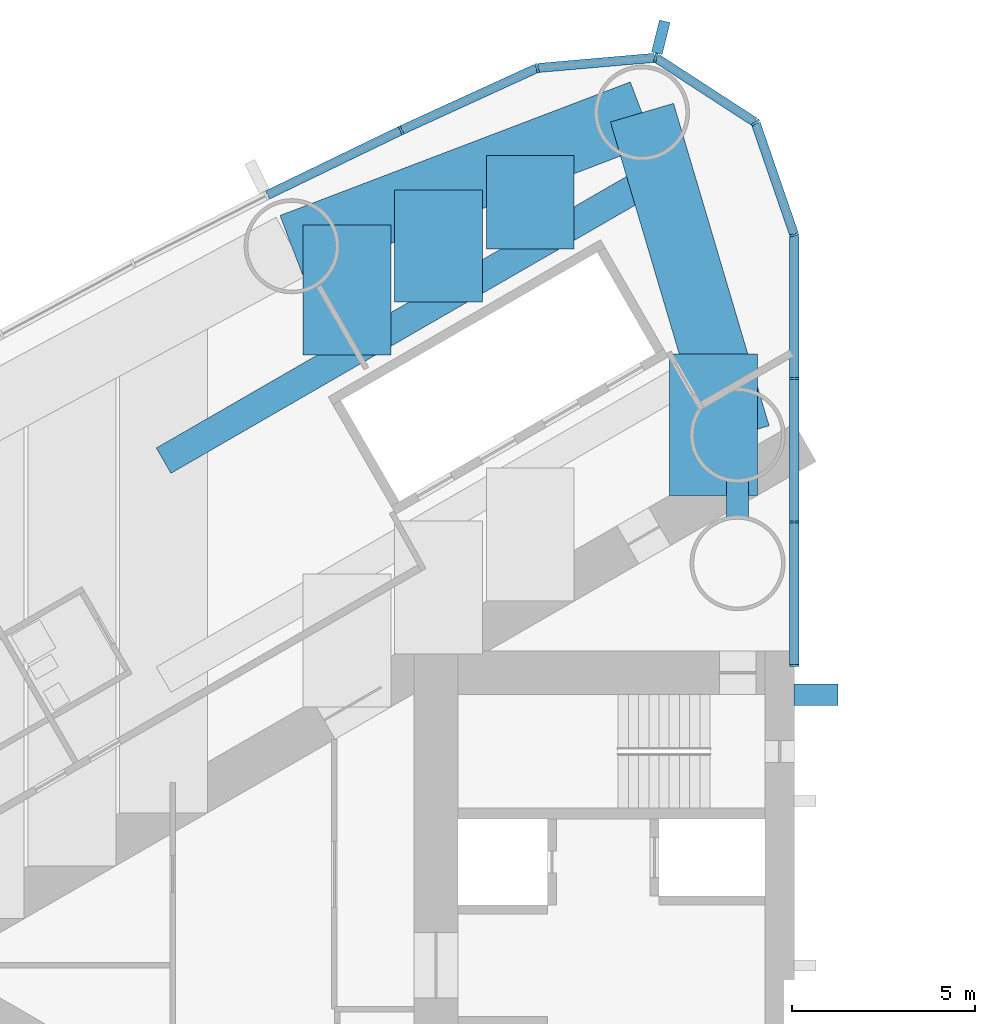
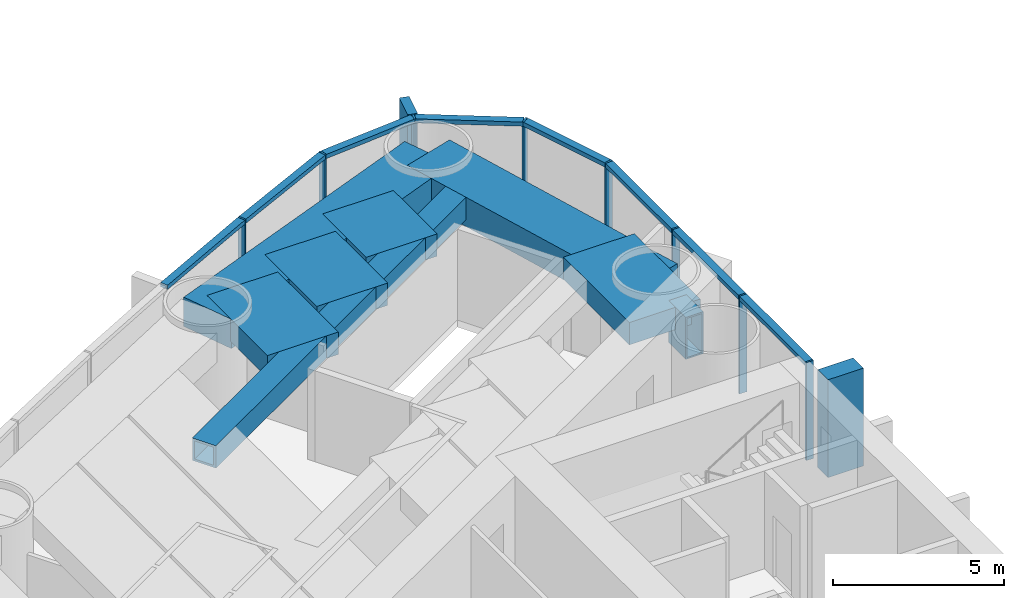
# One storey, part 5 of 19: 18 members, 8 beams, 1 element without a shape of its own.
"""IFC4 building model written with IfcOpenShell, lengths in metres."""

from ifc_helpers import new_model, si_unit, direction, frame, origin, origin_2d, place, context, subcontext, project, spatial, rectangle, hollow_rectangle, extrude, material, material_profile, profile_set, type_object, element, aggregate, save


model = new_model("IFC4")

# Units and contexts
model_context = context("Model", 3, precision=1e-05, world=origin(), true_north=direction((0.0, 1.0)))
body_context = subcontext(model_context, "Body", "Model", "MODEL_VIEW")
ifc_project = project(units=[si_unit("LENGTHUNIT", "METRE"), si_unit("AREAUNIT", "SQUARE_METRE"), si_unit("VOLUMEUNIT", "CUBIC_METRE"), si_unit("PLANEANGLEUNIT", "RADIAN"), si_unit("MASSUNIT", "GRAM", prefix="KILO")], contexts=[model_context])

# Site, building, storey
site_placement = place(None, origin())
site = spatial("IfcSite", under=ifc_project, at=site_placement, CompositionType="ELEMENT")
building_placement = place(site_placement, origin())
building = spatial("IfcBuilding", under=site, at=building_placement, Name="Lancet Gate Hotel", CompositionType="ELEMENT")
storey_placement = place(building_placement, frame((0.0, 0.0, 111.60009765625)))
storey = spatial("IfcBuildingStorey", under=building, at=storey_placement, Name="L29", CompositionType="ELEMENT", Elevation=111.60009765625)

# Curtain wall, members
ifc_material_1 = material(Name="Aluminium curtain wall", Category="aluminium")
curtain_wall_type = type_object("IfcCurtainWallType", Name="Tower unitised curtain wall", PredefinedType="USERDEFINED", material=ifc_material_1)
curtain_wall_placement = place(storey_placement, origin())
curtain_wall = element("IfcCurtainWall", 1, at=curtain_wall_placement, inside=storey, type_object=curtain_wall_type, Name="T1 L29 curtain wall 1", ObjectType="UNITISED CURTAIN WALL", PredefinedType="USERDEFINED")
ifc_material_2 = material(Name="Aluminium mullion", Category="aluminium")
ifc_material_profile_1 = material_profile(ifc_material_2, rectangle(XDim=0.06494140625, YDim=0.25, at=origin_2d()), Name="MULLION 65x250")
ifc_profile_set_1 = profile_set([ifc_material_profile_1], Name="Aluminium mullion")
member_type_1 = type_object("IfcMemberType", Name="Aluminium mullion 65x250", PredefinedType="MULLION", material=ifc_profile_set_1)
member_1_placement = place(storey_placement, frame((-27.5, 8.199951171875, 0.0), z_axis=(0.0, 0.0, 1.0), x_axis=(0.0, 1.0, 0.0)))
member_1 = element("IfcMember", 2, at=member_1_placement, type_object=member_type_1, Name="T1 L29 curtain wall 1 mullion 1", PredefinedType="MULLION", context=body_context, shape_type="SweptSolid", body=[
    extrude(rectangle(XDim=0.06494140625, YDim=0.25, at=origin_2d()), origin(), (0.0, 0.0, 1.0), 3.5),
])
member_2_placement = place(storey_placement, frame((-27.5, 12.123779296875, 0.0), z_axis=(0.0, 0.0, 1.0), x_axis=(0.0, 1.0, 0.0)))
member_2 = element("IfcMember", 3, at=member_2_placement, type_object=member_type_1, Name="T1 L29 curtain wall 1 mullion 2", PredefinedType="MULLION", context=body_context, shape_type="SweptSolid", body=[
    extrude(rectangle(XDim=0.06494140625, YDim=0.25, at=origin_2d()), origin(), (0.0, 0.0, 1.0), 3.5),
])
member_3_placement = place(storey_placement, frame((-27.5, 16.04736328125, 0.0), z_axis=(0.0, 0.0, 1.0), x_axis=(0.0, 1.0, 0.0)))
member_3 = element("IfcMember", 4, at=member_3_placement, type_object=member_type_1, Name="T1 L29 curtain wall 1 mullion 3", PredefinedType="MULLION", context=body_context, shape_type="SweptSolid", body=[
    extrude(rectangle(XDim=0.06494140625, YDim=0.25, at=origin_2d()), origin(), (0.0, 0.0, 1.0), 3.5),
])
member_4_placement = place(storey_placement, frame((-27.5, 19.97119140625, 0.0), z_axis=(0.0, 0.0, 1.0), x_axis=(-0.149634446211, 0.988741388082, 0.0)))
member_4 = element("IfcMember", 5, at=member_4_placement, type_object=member_type_1, Name="T1 L29 curtain wall 1 mullion 4", PredefinedType="MULLION", context=body_context, shape_type="SweptSolid", body=[
    extrude(rectangle(XDim=0.06494140625, YDim=0.25, at=origin_2d()), origin(), (0.0, 0.0, 1.0), 3.5),
])
member_5_placement = place(storey_placement, frame((-28.5595703125, 23.049072265625, 0.0), z_axis=(0.0, 0.0, 1.0), x_axis=(-0.615574240878, 0.788078900851, 0.0)))
member_5 = element("IfcMember", 6, at=member_5_placement, type_object=member_type_1, Name="T1 L29 curtain wall 1 mullion 5", PredefinedType="MULLION", context=body_context, shape_type="SweptSolid", body=[
    extrude(rectangle(XDim=0.06494140625, YDim=0.25, at=origin_2d()), origin(), (0.0, 0.0, 1.0), 3.5),
])
member_6_placement = place(storey_placement, frame((-31.289306640625, 24.822265625, 0.0), z_axis=(0.0, 0.0, 1.0), x_axis=(-0.970242142288, 0.242136707934, 0.0)))
member_6 = element("IfcMember", 7, at=member_6_placement, type_object=member_type_1, Name="T1 L29 curtain wall 1 mullion 6", PredefinedType="MULLION", context=body_context, shape_type="SweptSolid", body=[
    extrude(rectangle(XDim=0.06494140625, YDim=0.25, at=origin_2d()), origin(), (0.0, 0.0, 1.0), 3.5),
])
member_7_placement = place(storey_placement, frame((-34.5322265625, 24.53955078125, 0.0), z_axis=(0.0, 0.0, 1.0), x_axis=(-0.961653318232, -0.27426792655, 0.0)))
member_7 = element("IfcMember", 8, at=member_7_placement, type_object=member_type_1, Name="T1 L29 curtain wall 1 mullion 7", PredefinedType="MULLION", context=body_context, shape_type="SweptSolid", body=[
    extrude(rectangle(XDim=0.06494140625, YDim=0.25, at=origin_2d()), origin(), (0.0, 0.0, 1.0), 3.5),
])
member_8_placement = place(storey_placement, frame((-38.25244140625, 22.83642578125, 0.0), z_axis=(0.0, 0.0, 1.0), x_axis=(-0.904719609771, -0.426007544178, 0.0)))
member_8 = element("IfcMember", 9, at=member_8_placement, type_object=member_type_1, Name="T1 L29 curtain wall 1 mullion 8", PredefinedType="MULLION", context=body_context, shape_type="SweptSolid", body=[
    extrude(rectangle(XDim=0.06494140625, YDim=0.25, at=origin_2d()), origin(), (0.0, 0.0, 1.0), 3.5),
])
ifc_material_3 = material(Name="Aluminium transom", Category="aluminium")
ifc_material_profile_2 = material_profile(ifc_material_3, rectangle(XDim=0.25, YDim=0.14990234375, at=origin_2d()), Name="TRANSOM 250x150")
ifc_profile_set_2 = profile_set([ifc_material_profile_2], Name="Aluminium transom")
member_type_2 = type_object("IfcMemberType", Name="Aluminium transom 250x150", PredefinedType="USERDEFINED", material=ifc_profile_set_2)
member_9_placement = place(storey_placement, frame((-27.5, 8.232421875, 3.4248046875), z_axis=(0.0, 1.0, 0.0), x_axis=(-1.0, 0.0, 0.0)))
member_9 = element("IfcMember", 10, at=member_9_placement, type_object=member_type_2, Name="T1 L29 curtain wall 1 transom 1", ObjectType="TRANSOM", PredefinedType="USERDEFINED", context=body_context, shape_type="SweptSolid", body=[
    extrude(rectangle(XDim=0.25, YDim=0.14990234375, at=origin_2d()), origin(), (0.0, 0.0, 1.0), 3.85888671875),
])
member_10_placement = place(storey_placement, frame((-27.5, 12.15625, 3.4248046875), z_axis=(0.0, 1.0, 0.0), x_axis=(-1.0, 0.0, 0.0)))
member_10 = element("IfcMember", 11, at=member_10_placement, type_object=member_type_2, Name="T1 L29 curtain wall 1 transom 2", ObjectType="TRANSOM", PredefinedType="USERDEFINED", context=body_context, shape_type="SweptSolid", body=[
    extrude(rectangle(XDim=0.25, YDim=0.14990234375, at=origin_2d()), origin(), (0.0, 0.0, 1.0), 3.858642578125),
])
member_11_placement = place(storey_placement, frame((-27.5, 16.079833984375, 3.4248046875), z_axis=(0.0, 1.0, 0.0), x_axis=(-1.0, 0.0, 0.0)))
member_11 = element("IfcMember", 12, at=member_11_placement, type_object=member_type_2, Name="T1 L29 curtain wall 1 transom 3", ObjectType="TRANSOM", PredefinedType="USERDEFINED", context=body_context, shape_type="SweptSolid", body=[
    extrude(rectangle(XDim=0.25, YDim=0.14990234375, at=origin_2d()), origin(), (0.0, 0.0, 1.0), 3.858642578125),
])
member_12_placement = place(storey_placement, frame((-27.510498046875, 20.001708984375, 3.4248046875), z_axis=(-0.32553312754, 0.945530635609, 0.0), x_axis=(-0.945530635609, -0.32553312754, 0.0)))
member_12 = element("IfcMember", 13, at=member_12_placement, type_object=member_type_2, Name="T1 L29 curtain wall 1 transom 4", ObjectType="TRANSOM", PredefinedType="USERDEFINED", context=body_context, shape_type="SweptSolid", body=[
    extrude(rectangle(XDim=0.25, YDim=0.14990234375, at=origin_2d()), origin(), (0.0, 0.0, 1.0), 3.1904296875),
])
member_13_placement = place(storey_placement, frame((-28.5869140625, 23.066650390625, 3.4248046875), z_axis=(-0.838550259452, 0.544824249068, 0.0), x_axis=(-0.544824249068, -0.838550259452, 0.0)))
member_13 = element("IfcMember", 14, at=member_13_placement, type_object=member_type_2, Name="T1 L29 curtain wall 1 transom 5", ObjectType="TRANSOM", PredefinedType="USERDEFINED", context=body_context, shape_type="SweptSolid", body=[
    extrude(rectangle(XDim=0.25, YDim=0.14990234375, at=origin_2d()), origin(), (0.0, 0.0, 1.0), 3.190185546875),
])
member_14_placement = place(storey_placement, frame((-31.32177734375, 24.819580078125, 3.4248046875), z_axis=(-0.996213545522, -0.086940046686, 0.0), x_axis=(0.086940046686, -0.996213545522, 0.0)))
member_14 = element("IfcMember", 15, at=member_14_placement, type_object=member_type_2, Name="T1 L29 curtain wall 1 transom 6", ObjectType="TRANSOM", PredefinedType="USERDEFINED", context=body_context, shape_type="SweptSolid", body=[
    extrude(rectangle(XDim=0.25, YDim=0.14990234375, at=origin_2d()), origin(), (0.0, 0.0, 1.0), 3.18994140625),
])
member_15_placement = place(storey_placement, frame((-34.561767578125, 24.52587890625, 3.4248046875), z_axis=(-0.909252284196, -0.416245460857, 0.0), x_axis=(0.416245460857, -0.909252284196, 0.0)))
member_15 = element("IfcMember", 16, at=member_15_placement, type_object=member_type_2, Name="T1 L29 curtain wall 1 transom 7", ObjectType="TRANSOM", PredefinedType="USERDEFINED", context=body_context, shape_type="SweptSolid", body=[
    extrude(rectangle(XDim=0.25, YDim=0.14990234375, at=origin_2d()), origin(), (0.0, 0.0, 1.0), 4.026611328125),
])
member_16_placement = place(storey_placement, frame((-38.28173828125, 22.822265625, 3.4248046875), z_axis=(-0.900065677074, -0.435754262117, 0.0), x_axis=(0.435754262117, -0.900065677074, 0.0)))
member_16 = element("IfcMember", 17, at=member_16_placement, type_object=member_type_2, Name="T1 L29 curtain wall 1 transom 8", ObjectType="TRANSOM", PredefinedType="USERDEFINED", context=body_context, shape_type="SweptSolid", body=[
    extrude(rectangle(XDim=0.25, YDim=0.14990234375, at=origin_2d()), origin(), (0.0, 0.0, 1.0), 4.026611328125),
])

# Beams
ifc_material_4 = material(Name="Concrete C50/60", Category="concrete")
ifc_material_profile_3 = material_profile(ifc_material_4, rectangle(XDim=1.800048828125, YDim=1.050048828125, at=origin_2d()), Name="RC 1800x1050")
ifc_profile_set_3 = profile_set([ifc_material_profile_3], Name="Concrete C50/60")
beam_type_1 = type_object("IfcBeamType", Name="Edge beam RC 1800x1050", PredefinedType="SPANDREL", material=ifc_profile_set_3)
beam_1_placement = place(storey_placement, frame((-31.66455078125, 23.318359375, 2.724853515625), z_axis=(-0.934392266213, -0.356245832033, 0.0), x_axis=(0.356245832033, -0.934392266213, 0.0)))
element("IfcBeam", 18, at=beam_1_placement, inside=storey, type_object=beam_type_1, Name="T1 edge beam EB1 L29", PredefinedType="SPANDREL", context=body_context, shape_type="SweptSolid", body=[
    extrude(rectangle(XDim=1.800048828125, YDim=1.050048828125, at=origin_2d()), origin(), (0.0, 0.0, 1.0), 10.2529296875),
])
beam_2_placement = place(storey_placement, frame((-31.66455078125, 23.318359375, 2.724853515625), z_axis=(0.284253711522, -0.958749095168, 0.0), x_axis=(0.958749095168, 0.284253711522, 0.0)))
element("IfcBeam", 19, at=beam_2_placement, inside=storey, type_object=beam_type_1, Name="T1 edge beam EB1 L29", PredefinedType="SPANDREL", context=body_context, shape_type="SweptSolid", body=[
    extrude(rectangle(XDim=1.800048828125, YDim=1.050048828125, at=origin_2d()), origin(), (0.0, 0.0, 1.0), 9.19775390625),
])

# Member
ifc_material_5 = material(Name="Concrete C60/75", Category="concrete")
ifc_material_profile_4 = material_profile(ifc_material_5, rectangle(XDim=0.60009765625, YDim=1.199951171875, at=origin_2d()), Name="FIN 600x1200")
ifc_profile_set_4 = profile_set([ifc_material_profile_4], Name="Concrete C60/75")
member_type_3 = type_object("IfcMemberType", Name="Exposed concrete buttress pilaster 600x1200", PredefinedType="USERDEFINED", material=ifc_profile_set_4)
member_17_placement = place(storey_placement, frame((-26.909912109375, 7.39990234375, 0.0), z_axis=(0.0, 0.0, 1.0), x_axis=(0.0, 1.0, 0.0)))
element("IfcMember", 20, at=member_17_placement, inside=storey, type_object=member_type_3, Name="T1 buttress pilaster S L29", ObjectType="FIN", PredefinedType="USERDEFINED", context=body_context, shape_type="SweptSolid", body=[
    extrude(rectangle(XDim=0.60009765625, YDim=1.199951171875, at=origin_2d()), origin(), (0.0, 0.0, 1.0), 3.5),
])

ifc_material_6 = material(Name="Precast concrete C50/60", Category="concrete")
ifc_material_profile_5 = material_profile(ifc_material_6, rectangle(XDim=0.300048828125, YDim=0.89990234375, at=origin_2d()), Name="FIN 300x900")
ifc_profile_set_5 = profile_set([ifc_material_profile_5], Name="Precast concrete C50/60")
member_type_4 = type_object("IfcMemberType", Name="Exposed concrete fin 300x900", PredefinedType="USERDEFINED", material=ifc_profile_set_5)
member_18_placement = place(storey_placement, frame((-31.150146484375, 25.380126953125, 0.0), z_axis=(0.0, 0.0, 1.0), x_axis=(-0.970242142288, 0.242136707934, 0.0)))
member_18 = element("IfcMember", 21, at=member_18_placement, type_object=member_type_4, Name="T1 L29 curtain wall 1 fin 6", ObjectType="FIN", PredefinedType="USERDEFINED", context=body_context, shape_type="SweptSolid", body=[
    extrude(rectangle(XDim=0.300048828125, YDim=0.89990234375, at=origin_2d()), origin(), (0.0, 0.0, 1.0), 3.5),
])

aggregate(curtain_wall, [member_1, member_2, member_3, member_4, member_5, member_6, member_18, member_7, member_8, member_9, member_10, member_11, member_12, member_13, member_14, member_15, member_16])

# Beams
ifc_material_7 = material(Name="Concrete C50/60", Category="concrete")
ifc_material_profile_6 = material_profile(ifc_material_7, rectangle(XDim=2.39990234375, YDim=0.800048828125, at=origin_2d()), Name="RC 2400x800")
ifc_profile_set_6 = profile_set([ifc_material_profile_6], Name="Concrete C50/60")
beam_type_2 = type_object("IfcBeamType", Name="Floor beam RC 2400x800", PredefinedType="BEAM", material=ifc_profile_set_6)
beam_3_placement = place(storey_placement, frame((-29.706787109375, 16.71533203125, 2.849853515625), z_axis=(0.0, -1.0, 0.0), x_axis=(1.0, 0.0, 0.0)))
element("IfcBeam", 22, at=beam_3_placement, inside=storey, type_object=beam_type_2, Name="T1 floor beam F02S L29", PredefinedType="BEAM", context=body_context, shape_type="SweptSolid", body=[
    extrude(rectangle(XDim=2.39990234375, YDim=0.800048828125, at=origin_2d()), origin(), (0.0, 0.0, 1.0), 3.86279296875),
])
beam_4_placement = place(storey_placement, frame((-34.720458984375, 22.1533203125, 2.849853515625), z_axis=(0.0, -1.0, 0.0), x_axis=(1.0, 0.0, 0.0)))
element("IfcBeam", 23, at=beam_4_placement, inside=storey, type_object=beam_type_2, Name="T1 floor beam F04SA L29", PredefinedType="BEAM", context=body_context, shape_type="SweptSolid", body=[
    extrude(rectangle(XDim=2.39990234375, YDim=0.800048828125, at=origin_2d()), origin(), (0.0, 0.0, 1.0), 2.561767578125),
])
beam_5_placement = place(storey_placement, frame((-37.227294921875, 21.197509765625, 2.849853515625), z_axis=(0.0, -1.0, 0.0), x_axis=(1.0, 0.0, 0.0)))
element("IfcBeam", 24, at=beam_5_placement, inside=storey, type_object=beam_type_2, Name="T1 floor beam F05SA L29", PredefinedType="BEAM", context=body_context, shape_type="SweptSolid", body=[
    extrude(rectangle(XDim=2.39990234375, YDim=0.800048828125, at=origin_2d()), origin(), (0.0, 0.0, 1.0), 3.053466796875),
])
beam_6_placement = place(storey_placement, frame((-39.734130859375, 20.24169921875, 2.849853515625), z_axis=(0.0, -1.0, 0.0), x_axis=(1.0, 0.0, 0.0)))
element("IfcBeam", 25, at=beam_6_placement, inside=storey, type_object=beam_type_2, Name="T1 floor beam F07SA L29", PredefinedType="BEAM", context=body_context, shape_type="SweptSolid", body=[
    extrude(rectangle(XDim=2.39990234375, YDim=0.800048828125, at=origin_2d()), origin(), (0.0, 0.0, 1.0), 3.545166015625),
])
ifc_material_8 = material(Name="Steel S460QL", Category="steel")
ifc_material_profile_7 = material_profile(ifc_material_8, hollow_rectangle(XDim=0.60009765625, YDim=1.5, WallThickness=0.050048828125, at=origin_2d()), Name="BOX 1500x600x50")
ifc_profile_set_7 = profile_set([ifc_material_profile_7], Name="Steel S460QL")
beam_type_3 = type_object("IfcBeamType", Name="Inner-face link beam BOX 1500x600x50", PredefinedType="BEAM", material=ifc_profile_set_7)
beam_7_placement = place(storey_placement, frame((-29.050048828125, 13.25, 2.5), z_axis=(0.0, -1.0, 0.0), x_axis=(1.0, 0.0, 0.0)))
element("IfcBeam", 26, at=beam_7_placement, inside=storey, type_object=beam_type_3, Name="T1 inner-face link beam LK1 L29", PredefinedType="BEAM", context=body_context, shape_type="SweptSolid", body=[
    extrude(hollow_rectangle(XDim=0.60009765625, YDim=1.5, WallThickness=0.050048828125, at=origin_2d()), origin(), (0.0, 0.0, 1.0), 1.0),
])
ifc_material_9 = material(Name="Steel S460QL", Category="steel")
ifc_material_profile_8 = material_profile(ifc_material_9, hollow_rectangle(XDim=0.800048828125, YDim=0.800048828125, WallThickness=0.080078125, at=origin_2d()), Name="BOX 800x800x80")
ifc_profile_set_8 = profile_set([ifc_material_profile_8], Name="Steel S460QL")
beam_type_4 = type_object("IfcBeamType", Name="Trimmer beam BOX 800x800x80", PredefinedType="BEAM", material=ifc_profile_set_8)
beam_8_placement = place(storey_placement, frame((-31.16796875, 21.642822265625, 2.849853515625), z_axis=(-0.866004868127, -0.500035567115, 0.0), x_axis=(0.500035567115, -0.866004868127, 0.0)))
element("IfcBeam", 27, at=beam_8_placement, inside=storey, type_object=beam_type_4, Name="T1 trimmer beam TR04S L29", PredefinedType="BEAM", context=body_context, shape_type="SweptSolid", body=[
    extrude(hollow_rectangle(XDim=0.800048828125, YDim=0.800048828125, WallThickness=0.080078125, at=origin_2d()), origin(), (0.0, 0.0, 1.0), 15.680908203125),
])

save(model, "model.ifc")
